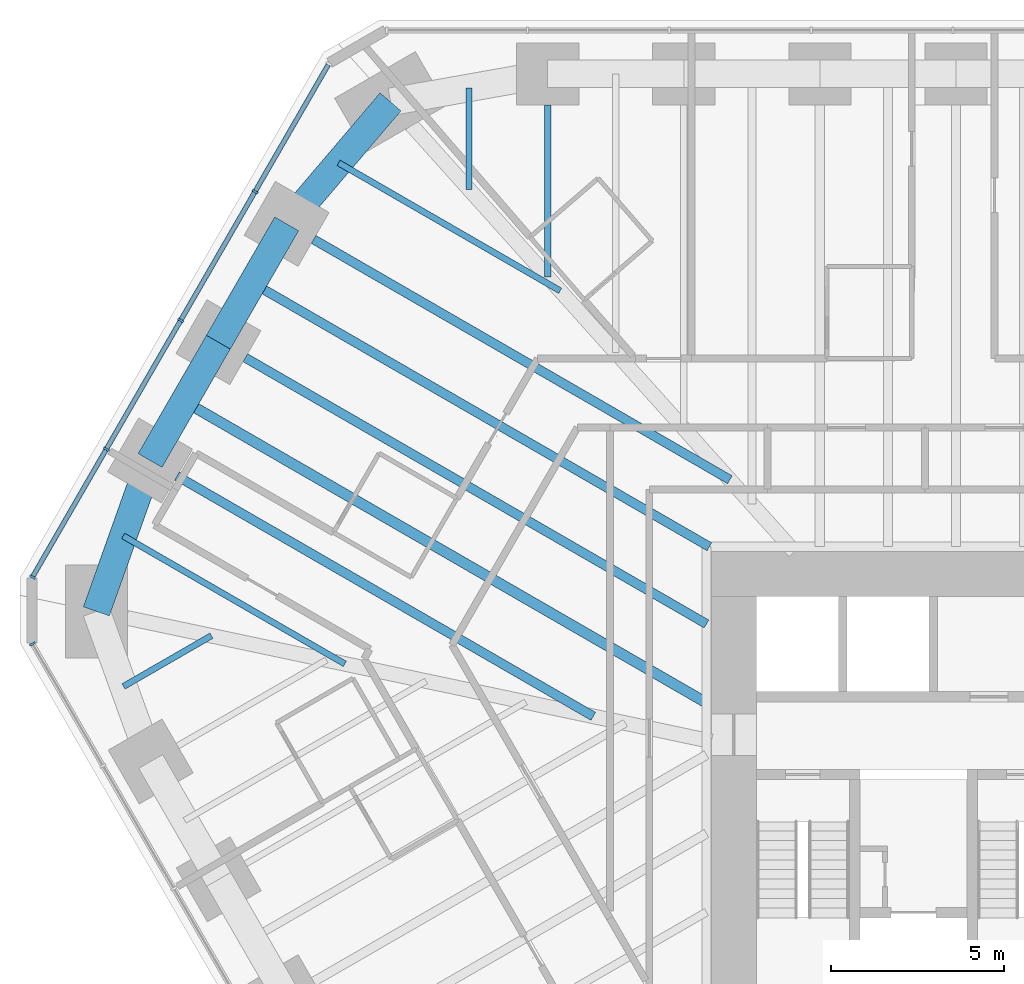
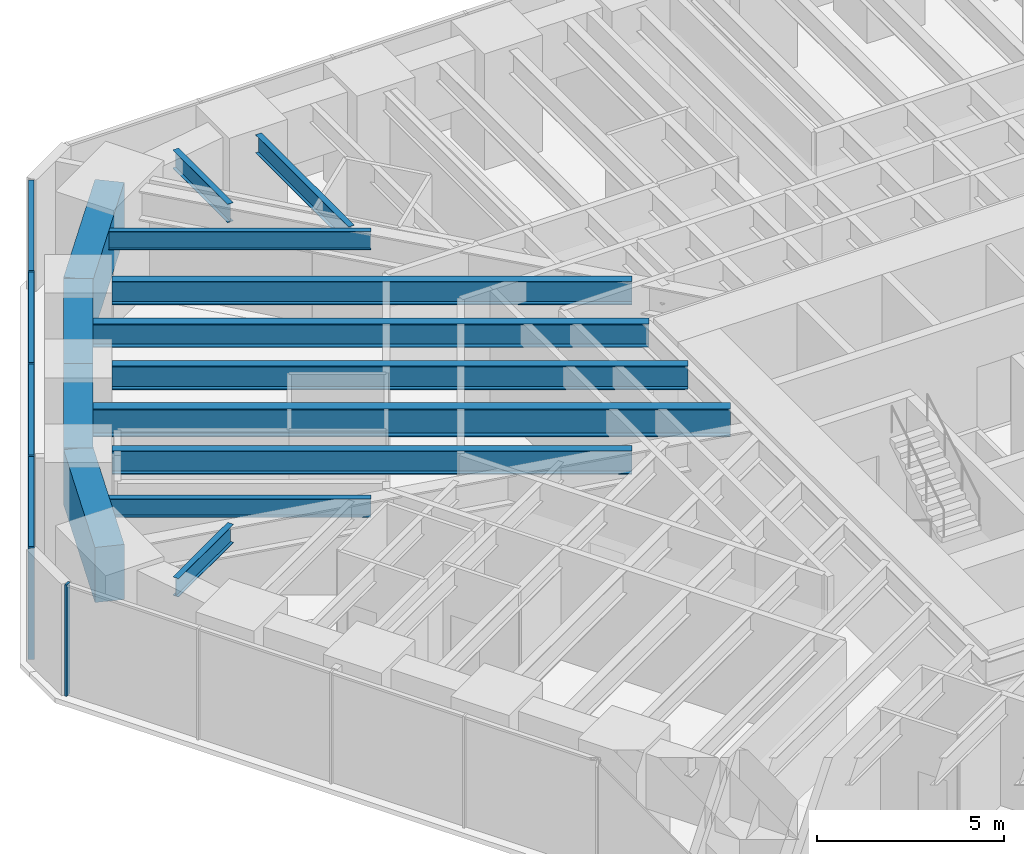
# One storey, part 7 of 17: 14 beams, 9 members, 2 elements without a shape of their own.
"""IFC4 building model written with IfcOpenShell, lengths in metres."""

from ifc_helpers import new_model, si_unit, direction, frame, origin, origin_2d, place, context, subcontext, project, spatial, rectangle, i_section, extrude, material, material_profile, profile_set, type_object, element, aggregate, save


model = new_model("IFC4")

# Units and contexts
model_context = context("Model", 3, precision=1e-05, world=origin(), true_north=direction((0.0, 1.0)))
body_context = subcontext(model_context, "Body", "Model", "MODEL_VIEW")
ifc_project = project(units=[si_unit("LENGTHUNIT", "METRE"), si_unit("AREAUNIT", "SQUARE_METRE"), si_unit("VOLUMEUNIT", "CUBIC_METRE"), si_unit("PLANEANGLEUNIT", "RADIAN"), si_unit("MASSUNIT", "GRAM", prefix="KILO")], contexts=[model_context])

# Site, building, storey
site_placement = place(None, origin())
site = spatial("IfcSite", under=ifc_project, at=site_placement, CompositionType="ELEMENT")
building_placement = place(site_placement, origin())
building = spatial("IfcBuilding", under=site, at=building_placement, Name="Sandreach Pilgrim Tower", CompositionType="ELEMENT")
storey_placement = place(building_placement, frame((0.0, 0.0, 138.60009765625)))
storey = spatial("IfcBuildingStorey", under=building, at=storey_placement, Name="L34", CompositionType="ELEMENT", Elevation=138.60009765625)

# Curtain wall, member
ifc_material_1 = material(Name="Aluminium framed curtain wall", Category="aluminium")
curtain_wall_type = type_object("IfcCurtainWallType", Name="Hotel tower curtain wall", PredefinedType="NOTDEFINED", material=ifc_material_1)
curtain_wall_1_placement = place(storey_placement, origin())
curtain_wall_1 = element("IfcCurtainWall", 1, at=curtain_wall_1_placement, inside=storey, type_object=curtain_wall_type, Name="CW-2 L34 SW", PredefinedType="NOTDEFINED")
ifc_material_2 = material(Name="Aluminium extrusion", Category="aluminium")
ifc_material_profile_1 = material_profile(ifc_material_2, rectangle(XDim=0.06494140625, YDim=0.179931640625, at=origin_2d()), Name="CW-2M 65X180")
ifc_profile_set_1 = profile_set([ifc_material_profile_1], Name="Aluminium extrusion")
member_type_1 = type_object("IfcMemberType", Name="CW-2 mullion", PredefinedType="MULLION", material=ifc_profile_set_1)
member_1_placement = place(storey_placement, frame((-28.70458984375, 4.730224609375, 0.0), z_axis=(0.0, 0.0, 1.0), x_axis=(-0.5, 0.866025403784, 0.0)))
member_1 = element("IfcMember", 2, at=member_1_placement, type_object=member_type_1, Name="CW-2 mullion 10", PredefinedType="MULLION", context=body_context, shape_type="SweptSolid", body=[
    extrude(rectangle(XDim=0.06494140625, YDim=0.179931640625, at=origin_2d()), origin(), (0.0, 0.0, 1.0), 3.639892578125),
])
aggregate(curtain_wall_1, [member_1])

# Curtain wall, members
curtain_wall_2_placement = place(storey_placement, origin())
curtain_wall_2 = element("IfcCurtainWall", 3, at=curtain_wall_2_placement, inside=storey, type_object=curtain_wall_type, Name="CW-2 L34 NW", PredefinedType="NOTDEFINED")
member_2_placement = place(storey_placement, frame((-28.70458984375, 6.66650390625, 0.0), z_axis=(0.0, 0.0, 1.0), x_axis=(0.5, 0.866025403784, 0.0)))
member_2 = element("IfcMember", 4, at=member_2_placement, type_object=member_type_1, Name="CW-2 mullion 1", PredefinedType="MULLION", context=body_context, shape_type="SweptSolid", body=[
    extrude(rectangle(XDim=0.06494140625, YDim=0.179931640625, at=origin_2d()), origin(), (0.0, 0.0, 1.0), 3.639892578125),
])
member_3_placement = place(storey_placement, frame((-26.568115234375, 10.3671875, 0.0), z_axis=(0.0, 0.0, 1.0), x_axis=(0.5, 0.866025403784, 0.0)))
member_3 = element("IfcMember", 5, at=member_3_placement, type_object=member_type_1, Name="CW-2 mullion 2", PredefinedType="MULLION", context=body_context, shape_type="SweptSolid", body=[
    extrude(rectangle(XDim=0.06494140625, YDim=0.179931640625, at=origin_2d()), origin(), (0.0, 0.0, 1.0), 3.639892578125),
])
member_4_placement = place(storey_placement, frame((-24.415283203125, 14.09619140625, 0.0), z_axis=(0.0, 0.0, 1.0), x_axis=(0.5, 0.866025403784, 0.0)))
member_4 = element("IfcMember", 6, at=member_4_placement, type_object=member_type_1, Name="CW-2 mullion 3", PredefinedType="MULLION", context=body_context, shape_type="SweptSolid", body=[
    extrude(rectangle(XDim=0.06494140625, YDim=0.179931640625, at=origin_2d()), origin(), (0.0, 0.0, 1.0), 3.639892578125),
])
member_5_placement = place(storey_placement, frame((-22.262451171875, 17.824951171875, 0.0), z_axis=(0.0, 0.0, 1.0), x_axis=(0.5, 0.866025403784, 0.0)))
member_5 = element("IfcMember", 7, at=member_5_placement, type_object=member_type_1, Name="CW-2 mullion 4", PredefinedType="MULLION", context=body_context, shape_type="SweptSolid", body=[
    extrude(rectangle(XDim=0.06494140625, YDim=0.179931640625, at=origin_2d()), origin(), (0.0, 0.0, 1.0), 3.639892578125),
])
ifc_material_3 = material(Name="Aluminium extrusion", Category="aluminium")
ifc_material_profile_2 = material_profile(ifc_material_3, rectangle(XDim=0.139892578125, YDim=0.070068359375, at=origin_2d()), Name="CW-2T 140X70")
ifc_profile_set_2 = profile_set([ifc_material_profile_2], Name="Aluminium extrusion")
member_type_2 = type_object("IfcMemberType", Name="CW-2 transom", PredefinedType="USERDEFINED", material=ifc_profile_set_2)
member_6_placement = place(storey_placement, frame((-28.6884765625, 6.69482421875, 3.60498046875), z_axis=(0.500038835258, 0.866002981077, 0.0), x_axis=(-0.866002981077, 0.500038835258, 0.0)))
member_6 = element("IfcMember", 8, at=member_6_placement, type_object=member_type_2, Name="CW-2 head transom 1", ObjectType="TRANSOM", PredefinedType="USERDEFINED", context=body_context, shape_type="SweptSolid", body=[
    extrude(rectangle(XDim=0.139892578125, YDim=0.070068359375, at=origin_2d()), origin(), (0.0, 0.0, 1.0), 4.208251953125),
])
member_7_placement = place(storey_placement, frame((-26.5517578125, 10.3955078125, 3.60498046875), z_axis=(0.500021471012, 0.866013007135, 0.0), x_axis=(-0.866013007135, 0.500021471012, 0.0)))
member_7 = element("IfcMember", 9, at=member_7_placement, type_object=member_type_2, Name="CW-2 head transom 2", ObjectType="TRANSOM", PredefinedType="USERDEFINED", context=body_context, shape_type="SweptSolid", body=[
    extrude(rectangle(XDim=0.139892578125, YDim=0.070068359375, at=origin_2d()), origin(), (0.0, 0.0, 1.0), 4.240478515625),
])
member_8_placement = place(storey_placement, frame((-24.39892578125, 14.124267578125, 3.60498046875), z_axis=(0.499996541496, 0.866027400544, 0.0), x_axis=(-0.866027400544, 0.499996541496, 0.0)))
member_8 = element("IfcMember", 10, at=member_8_placement, type_object=member_type_2, Name="CW-2 head transom 3", ObjectType="TRANSOM", PredefinedType="USERDEFINED", context=body_context, shape_type="SweptSolid", body=[
    extrude(rectangle(XDim=0.139892578125, YDim=0.070068359375, at=origin_2d()), origin(), (0.0, 0.0, 1.0), 4.24072265625),
])
member_9_placement = place(storey_placement, frame((-22.24609375, 17.85302734375, 3.60498046875), z_axis=(0.49997020258, 0.86604260665, 0.0), x_axis=(-0.86604260665, 0.49997020258, 0.0)))
member_9 = element("IfcMember", 11, at=member_9_placement, type_object=member_type_2, Name="CW-2 head transom 4", ObjectType="TRANSOM", PredefinedType="USERDEFINED", context=body_context, shape_type="SweptSolid", body=[
    extrude(rectangle(XDim=0.139892578125, YDim=0.070068359375, at=origin_2d()), origin(), (0.0, 0.0, 1.0), 4.208251953125),
])
aggregate(curtain_wall_2, [member_2, member_3, member_4, member_5, member_6, member_7, member_8, member_9])

# Beams
ifc_material_4 = material(Name="Steel ASTM A992 Grade 50", Category="steel")
ifc_material_profile_3 = material_profile(ifc_material_4, i_section(OverallWidth=0.1787109375, OverallDepth=0.60205078125, WebThickness=0.010986328125, FlangeThickness=0.014892578125, at=origin_2d()), Name="W24X62")
ifc_profile_set_3 = profile_set([ifc_material_profile_3], Name="Steel ASTM A992 Grade 50")
beam_type_1 = type_object("IfcBeamType", Name="Floor beam W24X62", PredefinedType="BEAM", material=ifc_profile_set_3)
beam_1_placement = place(storey_placement, frame((-13.789794921875, 20.333740234375, 3.3388671875), z_axis=(0.0, -1.0, 0.0), x_axis=(1.0, 0.0, 0.0)))
element("IfcBeam", 12, at=beam_1_placement, inside=storey, type_object=beam_type_1, Name="BM L34 F01", PredefinedType="BEAM", context=body_context, shape_type="SweptSolid", body=[
    extrude(i_section(OverallWidth=0.1787109375, OverallDepth=0.60205078125, WebThickness=0.010986328125, FlangeThickness=0.014892578125, at=origin_2d()), origin(), (0.0, 0.0, 1.0), 4.9765625),
])
beam_2_placement = place(storey_placement, frame((-26.070556640625, 3.498046875, 3.3388671875), z_axis=(0.866051374412, 0.499955014855, 0.0), x_axis=(-0.499955014855, 0.866051374412, 0.0)))
element("IfcBeam", 13, at=beam_2_placement, inside=storey, type_object=beam_type_1, Name="BM L34 FM34", PredefinedType="BEAM", context=body_context, shape_type="SweptSolid", body=[
    extrude(i_section(OverallWidth=0.1787109375, OverallDepth=0.60205078125, WebThickness=0.010986328125, FlangeThickness=0.014892578125, at=origin_2d()), origin(), (0.0, 0.0, 1.0), 2.938232421875),
])
for number, where, z_axis, x_axis, name in (
    (14, (-26.079345703125, 7.855712890625, 3.3388671875), (0.866025875064, -0.499999183719, 0.0), (0.499999183719, 0.866025875064, 0.0), "BM L34 FM35"),
    (15, (-19.8427734375, 18.65771484375, 3.3388671875), (0.866025875064, -0.499999183719, 0.0), (0.499999183719, 0.866025875064, 0.0), "BM L34 FM38"),
):
    element("IfcBeam", number, at=place(storey_placement, frame(where, z_axis=z_axis, x_axis=x_axis)), inside=storey, type_object=beam_type_1, Name=name, PredefinedType="BEAM", context=body_context, shape_type="SweptSolid", body=[
        extrude(i_section(OverallWidth=0.1787109375, OverallDepth=0.60205078125, WebThickness=0.010986328125, FlangeThickness=0.014892578125, at=origin_2d()), origin(), (0.0, 0.0, 1.0), 7.40771484375),
    ])
beam_3_placement = place(storey_placement, frame((-16.064697265625, 20.828857421875, 3.3388671875), z_axis=(0.0, -1.0, 0.0), x_axis=(1.0, 0.0, 0.0)))
element("IfcBeam", 16, at=beam_3_placement, inside=storey, type_object=beam_type_1, Name="BM L34 FM39", PredefinedType="BEAM", context=body_context, shape_type="SweptSolid", body=[
    extrude(i_section(OverallWidth=0.1787109375, OverallDepth=0.60205078125, WebThickness=0.010986328125, FlangeThickness=0.014892578125, at=origin_2d()), origin(), (0.0, 0.0, 1.0), 2.938232421875),
])
ifc_material_5 = material(Name="Steel ASTM A992 Grade 50", Category="steel")
ifc_material_profile_4 = material_profile(ifc_material_5, i_section(OverallWidth=0.2666015625, OverallDepth=0.761962890625, WebThickness=0.014404296875, FlangeThickness=0.021484375, at=origin_2d()), Name="W30X116")
ifc_profile_set_4 = profile_set([ifc_material_profile_4], Name="Steel ASTM A992 Grade 50")
beam_type_2 = type_object("IfcBeamType", Name="Floor beam W30X116", PredefinedType="BEAM", material=ifc_profile_set_4)
beam_4_placement = place(storey_placement, frame((-24.522216796875, 9.5908203125, 3.2587890625), z_axis=(0.866026649588, -0.499997842199, 0.0), x_axis=(0.499997842199, 0.866026649588, 0.0)))
element("IfcBeam", 17, at=beam_4_placement, inside=storey, type_object=beam_type_2, Name="BM L34 F36", PredefinedType="BEAM", context=body_context, shape_type="SweptSolid", body=[
    extrude(i_section(OverallWidth=0.2666015625, OverallDepth=0.761962890625, WebThickness=0.014404296875, FlangeThickness=0.021484375, at=origin_2d()), origin(), (0.0, 0.0, 1.0), 13.91552734375),
])
beam_5_placement = place(storey_placement, frame((-20.56689453125, 16.44140625, 3.2587890625), z_axis=(0.866022263426, -0.500005439221, 0.0), x_axis=(0.500005439221, 0.866022263426, 0.0)))
element("IfcBeam", 18, at=beam_5_placement, inside=storey, type_object=beam_type_2, Name="BM L34 F38", PredefinedType="BEAM", context=body_context, shape_type="SweptSolid", body=[
    extrude(i_section(OverallWidth=0.2666015625, OverallDepth=0.761962890625, WebThickness=0.014404296875, FlangeThickness=0.021484375, at=origin_2d()), origin(), (0.0, 0.0, 1.0), 13.915283203125),
])
ifc_material_6 = material(Name="Steel ASTM A992 Grade 50", Category="steel")
ifc_material_profile_5 = material_profile(ifc_material_6, i_section(OverallWidth=0.2666015625, OverallDepth=0.77978515625, WebThickness=0.0166015625, FlangeThickness=0.030029296875, at=origin_2d()), Name="W30X148")
ifc_profile_set_5 = profile_set([ifc_material_profile_5], Name="Steel ASTM A992 Grade 50")
beam_type_3 = type_object("IfcBeamType", Name="Floor beam W30X148", PredefinedType="BEAM", material=ifc_profile_set_5)
beam_6_placement = place(storey_placement, frame((-22.544677734375, 13.01611328125, 3.25), z_axis=(0.866029203842, -0.49999341805, 0.0), x_axis=(0.49999341805, 0.866029203842, 0.0)))
element("IfcBeam", 19, at=beam_6_placement, inside=storey, type_object=beam_type_3, Name="BM L34 F37", PredefinedType="BEAM", context=body_context, shape_type="SweptSolid", body=[
    extrude(i_section(OverallWidth=0.2666015625, OverallDepth=0.77978515625, WebThickness=0.0166015625, FlangeThickness=0.030029296875, at=origin_2d()), origin(), (0.0, 0.0, 1.0), 15.416748046875),
])
beam_7_placement = place(storey_placement, frame((-22.335205078125, 15.1787109375, 3.25), z_axis=(0.866028773314, -0.499994163758, 0.0), x_axis=(0.499994163758, 0.866028773314, 0.0)))
element("IfcBeam", 20, at=beam_7_placement, inside=storey, type_object=beam_type_3, Name="BM L34 FM37", PredefinedType="BEAM", context=body_context, shape_type="SweptSolid", body=[
    extrude(i_section(OverallWidth=0.2666015625, OverallDepth=0.77978515625, WebThickness=0.0166015625, FlangeThickness=0.030029296875, at=origin_2d()), origin(), (0.0, 0.0, 1.0), 15.270751953125),
])
ifc_material_7 = material(Name="Steel ASTM A992 Grade 50", Category="steel")
ifc_material_profile_6 = material_profile(ifc_material_7, i_section(OverallWidth=0.3046875, OverallDepth=0.914306640625, WebThickness=0.0166015625, FlangeThickness=0.02587890625, at=origin_2d()), Name="W36X160")
ifc_profile_set_6 = profile_set([ifc_material_profile_6], Name="Steel ASTM A992 Grade 50")
beam_type_4 = type_object("IfcBeamType", Name="Floor beam W36X160", PredefinedType="BEAM", material=ifc_profile_set_6)
beam_8_placement = place(storey_placement, frame((-24.312744140625, 11.75341796875, 3.1826171875), z_axis=(0.866023737483, -0.500002886107, 0.0), x_axis=(0.500002886107, 0.866023737483, 0.0)))
element("IfcBeam", 21, at=beam_8_placement, inside=storey, type_object=beam_type_4, Name="BM L34 FM36", PredefinedType="BEAM", context=body_context, shape_type="SweptSolid", body=[
    extrude(i_section(OverallWidth=0.3046875, OverallDepth=0.914306640625, WebThickness=0.0166015625, FlangeThickness=0.02587890625, at=origin_2d()), origin(), (0.0, 0.0, 1.0), 17.45849609375),
])
ifc_material_8 = material(Name="Concrete 10000 psi", Category="concrete")
ifc_material_profile_7 = material_profile(ifc_material_8, rectangle(XDim=0.800048828125, YDim=1.800048828125, at=origin_2d()), Name="RC800X1800")
ifc_profile_set_7 = profile_set([ifc_material_profile_7], Name="Concrete 10000 psi")
beam_type_5 = type_object("IfcBeamType", Name="Spandrel beam RC800X1800", PredefinedType="SPANDREL", material=ifc_profile_set_7)
beam_9_placement = place(storey_placement, frame((-26.857177734375, 5.67041015625, 2.739990234375), z_axis=(0.335346041399, 0.942095023083, 0.0), x_axis=(-0.942095023083, 0.335346041399, 0.0)))
element("IfcBeam", 22, at=beam_9_placement, inside=storey, type_object=beam_type_5, Name="BM L34 SP35", PredefinedType="SPANDREL", context=body_context, shape_type="SweptSolid", body=[
    extrude(rectangle(XDim=0.800048828125, YDim=1.800048828125, at=origin_2d()), origin(), (0.0, 0.0, 1.0), 4.638916015625),
])
for number, where, z_axis, x_axis, name in (
    (23, (-25.301513671875, 10.040771484375, 2.739990234375), (0.499989616998, 0.866031398331, 0.0), (-0.866031398331, 0.499989616998, 0.0), "BM L34 SP36"),
    (24, (-23.323974609375, 13.466064453125, 2.739990234375), (0.499989616998, 0.866031398331, 0.0), (-0.866031398331, 0.499989616998, 0.0), "BM L34 SP37"),
):
    element("IfcBeam", number, at=place(storey_placement, frame(where, z_axis=z_axis, x_axis=x_axis)), inside=storey, type_object=beam_type_5, Name=name, PredefinedType="SPANDREL", context=body_context, shape_type="SweptSolid", body=[
        extrude(rectangle(XDim=0.800048828125, YDim=1.800048828125, at=origin_2d()), origin(), (0.0, 0.0, 1.0), 3.955078125),
    ])
beam_10_placement = place(storey_placement, frame((-21.346435546875, 16.891357421875, 2.739990234375), z_axis=(0.648208888384, 0.761462564425, 0.0), x_axis=(-0.761462564425, 0.648208888384, 0.0)))
element("IfcBeam", 25, at=beam_10_placement, inside=storey, type_object=beam_type_5, Name="BM L34 SP38", PredefinedType="SPANDREL", context=body_context, shape_type="SweptSolid", body=[
    extrude(rectangle(XDim=0.800048828125, YDim=1.800048828125, at=origin_2d()), origin(), (0.0, 0.0, 1.0), 4.63916015625),
])

save(model, "model.ifc")
